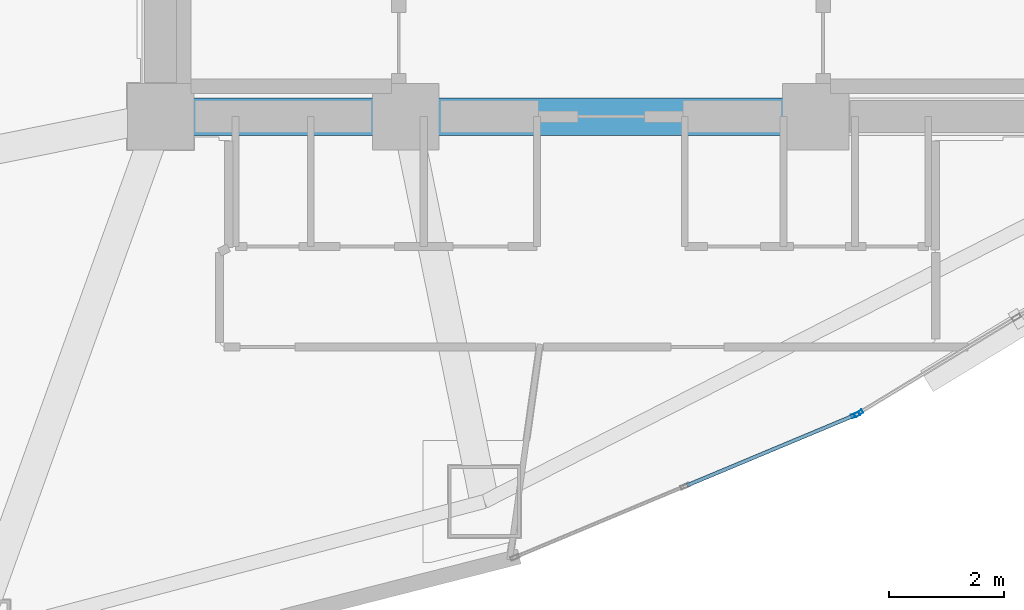
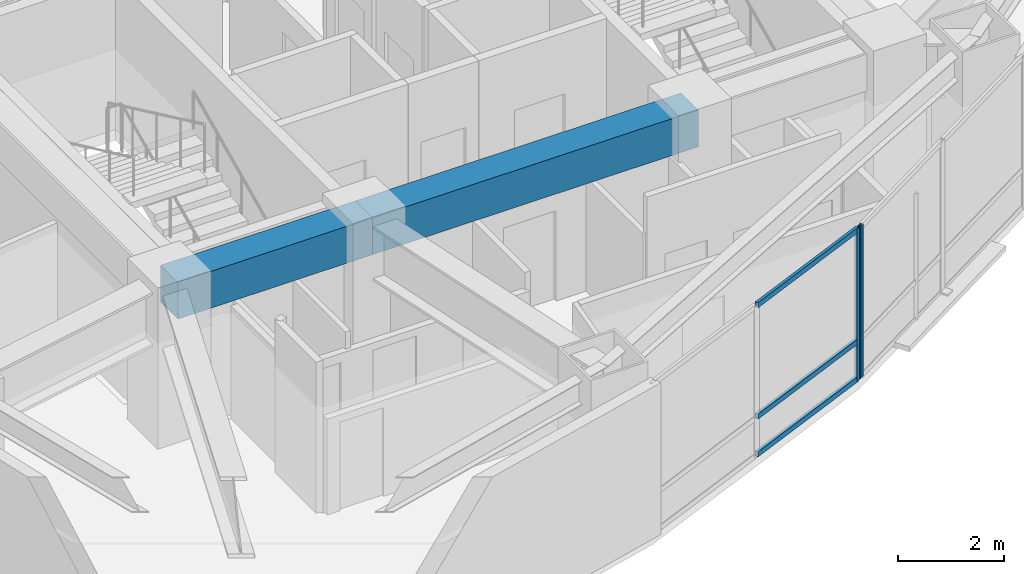
# One storey, part 4 of 17: 5 members, 2 beams, 2 elements without a shape of their own.
"""IFC4 building model written with IfcOpenShell, lengths in metres."""

from ifc_helpers import new_model, si_unit, direction, frame, origin, origin_2d, place, context, subcontext, project, spatial, rectangle, hollow_rectangle, extrude, material, layer, layer_set, material_profile, profile_set, type_object, element, aggregate, save


model = new_model("IFC4")

# Units and contexts
model_context = context("Model", 3, precision=1e-05, world=origin(), true_north=direction((0.0, 1.0)))
body_context = subcontext(model_context, "Body", "Model", "MODEL_VIEW")
ifc_project = project(units=[si_unit("LENGTHUNIT", "METRE"), si_unit("AREAUNIT", "SQUARE_METRE"), si_unit("VOLUMEUNIT", "CUBIC_METRE"), si_unit("PLANEANGLEUNIT", "RADIAN"), si_unit("MASSUNIT", "GRAM", prefix="KILO")], contexts=[model_context])

# Site, building, storey
site_placement = place(None, origin())
site = spatial("IfcSite", under=ifc_project, at=site_placement, CompositionType="ELEMENT")
building_placement = place(site_placement, origin())
building = spatial("IfcBuilding", under=site, at=building_placement, Name="Menara Vayukalpa", CompositionType="ELEMENT")
storey_placement = place(building_placement, frame((0.0, 0.0, 133.739990234375)))
storey = spatial("IfcBuildingStorey", under=building, at=storey_placement, Name="L33", CompositionType="ELEMENT", Elevation=133.739990234375)

# Beams
ifc_material_1 = material(Name="Concrete C60/75", Category="concrete")
ifc_material_profile_1 = material_profile(ifc_material_1, rectangle(XDim=0.64990234375, YDim=0.85009765625, at=origin_2d()), Name="RC 650x850")
ifc_profile_set_1 = profile_set([ifc_material_profile_1], Name="Concrete C60/75")
beam_type = type_object("IfcBeamType", Name="BM-CB1", PredefinedType="BEAM", material=ifc_profile_set_1)
beam_1_placement = place(storey_placement, frame((17.800048828125, 17.199951171875, 3.074951171875), z_axis=(1.0, 0.0, 0.0), x_axis=(0.0, 1.0, 0.0)))
element("IfcBeam", 1, at=beam_1_placement, inside=storey, type_object=beam_type, Name="L33 Core Tie Beam CBR1", PredefinedType="BEAM", context=body_context, shape_type="SweptSolid", body=[
    extrude(rectangle(XDim=0.64990234375, YDim=0.85009765625, at=origin_2d()), origin(), (0.0, 0.0, 1.0), 4.25),
])
beam_2_placement = place(storey_placement, frame((22.050048828125, 17.199951171875, 3.074951171875), z_axis=(1.0, 0.0, 0.0), x_axis=(0.0, 1.0, 0.0)))
element("IfcBeam", 2, at=beam_2_placement, inside=storey, type_object=beam_type, Name="L33 Core Tie Beam CBR2", PredefinedType="BEAM", context=body_context, shape_type="SweptSolid", body=[
    extrude(rectangle(XDim=0.64990234375, YDim=0.85009765625, at=origin_2d()), origin(), (0.0, 0.0, 1.0), 7.099853515625),
])

# Curtain wall, member
ifc_material_2 = material(Name="Anodised Terracotta Aluminium Alloy 6063-T6", Category="masonry")
ifc_layer = layer(ifc_material_2, 0.14990234375)
ifc_layer_set = layer_set([ifc_layer], Name="Anodised Terracotta Aluminium Alloy 6063-T6")
curtain_wall_type = type_object("IfcCurtainWallType", Name="CW-CW3", PredefinedType="USERDEFINED", material=ifc_layer_set)
curtain_wall_1_placement = place(storey_placement, origin())
curtain_wall_1 = element("IfcCurtainWall", 3, at=curtain_wall_1_placement, inside=storey, type_object=curtain_wall_type, Name="L33 Mid Rise Terracotta Ribbon Curtain Wall CW3 16", ObjectType="UNITISED", PredefinedType="USERDEFINED")
ifc_material_3 = material(Name="Anodised Terracotta Aluminium Alloy 6063-T6", Category="masonry")
ifc_material_profile_2 = material_profile(ifc_material_3, hollow_rectangle(XDim=0.06494140625, YDim=0.14990234375, WallThickness=0.00341796875, at=origin_2d()), Name="ALU 65x150x3.5")
ifc_profile_set_2 = profile_set([ifc_material_profile_2], Name="Anodised Terracotta Aluminium Alloy 6063-T6")
member_type_1 = type_object("IfcMemberType", Name="CWM-CW3", PredefinedType="MULLION", material=ifc_profile_set_2)
member_1_placement = place(storey_placement, frame((29.8359375, 12.0322265625, 0.0), z_axis=(0.0, 0.0, 1.0), x_axis=(-0.38589358437, 0.922543300632, 0.0)))
member_1 = element("IfcMember", 4, at=member_1_placement, type_object=member_type_1, Name="CW3 mullion 3", PredefinedType="MULLION", context=body_context, shape_type="SweptSolid", body=[
    extrude(hollow_rectangle(XDim=0.06494140625, YDim=0.14990234375, WallThickness=0.00341796875, at=origin_2d()), origin(), (0.0, 0.0, 1.0), 3.5),
])

curtain_wall_2_placement = place(storey_placement, origin())
curtain_wall_2 = element("IfcCurtainWall", 5, at=curtain_wall_2_placement, inside=storey, type_object=curtain_wall_type, Name="L33 Mid Rise Terracotta Ribbon Curtain Wall CW3 17", ObjectType="UNITISED", PredefinedType="USERDEFINED")
member_2_placement = place(storey_placement, frame((29.8935546875, 12.061767578125, 0.0), z_axis=(0.0, 0.0, 1.0), x_axis=(-0.519182959112, 0.854663123674, 0.0)))
member_2 = element("IfcMember", 6, at=member_2_placement, type_object=member_type_1, Name="CW3 mullion 1", PredefinedType="MULLION", context=body_context, shape_type="SweptSolid", body=[
    extrude(hollow_rectangle(XDim=0.06494140625, YDim=0.14990234375, WallThickness=0.00341796875, at=origin_2d()), origin(), (0.0, 0.0, 1.0), 3.5),
])
aggregate(curtain_wall_2, [member_2])

# Member
ifc_material_4 = material(Name="Anodised Terracotta Aluminium Alloy 6063-T6", Category="masonry")
ifc_material_profile_3 = material_profile(ifc_material_4, hollow_rectangle(XDim=0.06494140625, YDim=0.1201171875, WallThickness=0.00341796875, at=origin_2d()), Name="ALU 65x120x3.5")
ifc_profile_set_3 = profile_set([ifc_material_profile_3], Name="Anodised Terracotta Aluminium Alloy 6063-T6")
member_type_2 = type_object("IfcMemberType", Name="CWT-CW3", PredefinedType="USERDEFINED", material=ifc_profile_set_3)
member_3_placement = place(storey_placement, frame((26.916748046875, 10.81103515625, 0.032470703125), z_axis=(0.922517812792, 0.385954511673, 0.0), x_axis=(-0.385954511673, 0.922517812792, 0.0)))
member_3 = element("IfcMember", 7, at=member_3_placement, type_object=member_type_2, Name="CW3 transom 2.1", ObjectType="TRANSOM", PredefinedType="USERDEFINED", context=body_context, shape_type="SweptSolid", body=[
    extrude(hollow_rectangle(XDim=0.06494140625, YDim=0.1201171875, WallThickness=0.00341796875, at=origin_2d()), origin(), (0.0, 0.0, 1.0), 3.1318359375),
])

member_4_placement = place(storey_placement, frame((26.916748046875, 10.81103515625, 0.89990234375), z_axis=(0.922517812792, 0.385954511673, 0.0), x_axis=(-0.385954511673, 0.922517812792, 0.0)))
member_4 = element("IfcMember", 8, at=member_4_placement, type_object=member_type_2, Name="CW3 transom 2.2", ObjectType="TRANSOM", PredefinedType="USERDEFINED", context=body_context, shape_type="SweptSolid", body=[
    extrude(hollow_rectangle(XDim=0.06494140625, YDim=0.1201171875, WallThickness=0.00341796875, at=origin_2d()), origin(), (0.0, 0.0, 1.0), 3.1318359375),
])

member_5_placement = place(storey_placement, frame((26.916748046875, 10.81103515625, 3.467529296875), z_axis=(0.922517812792, 0.385954511673, 0.0), x_axis=(-0.385954511673, 0.922517812792, 0.0)))
member_5 = element("IfcMember", 9, at=member_5_placement, type_object=member_type_2, Name="CW3 transom 2.3", ObjectType="TRANSOM", PredefinedType="USERDEFINED", context=body_context, shape_type="SweptSolid", body=[
    extrude(hollow_rectangle(XDim=0.06494140625, YDim=0.1201171875, WallThickness=0.00341796875, at=origin_2d()), origin(), (0.0, 0.0, 1.0), 3.1318359375),
])

aggregate(curtain_wall_1, [member_1, member_3, member_4, member_5])

save(model, "model.ifc")
